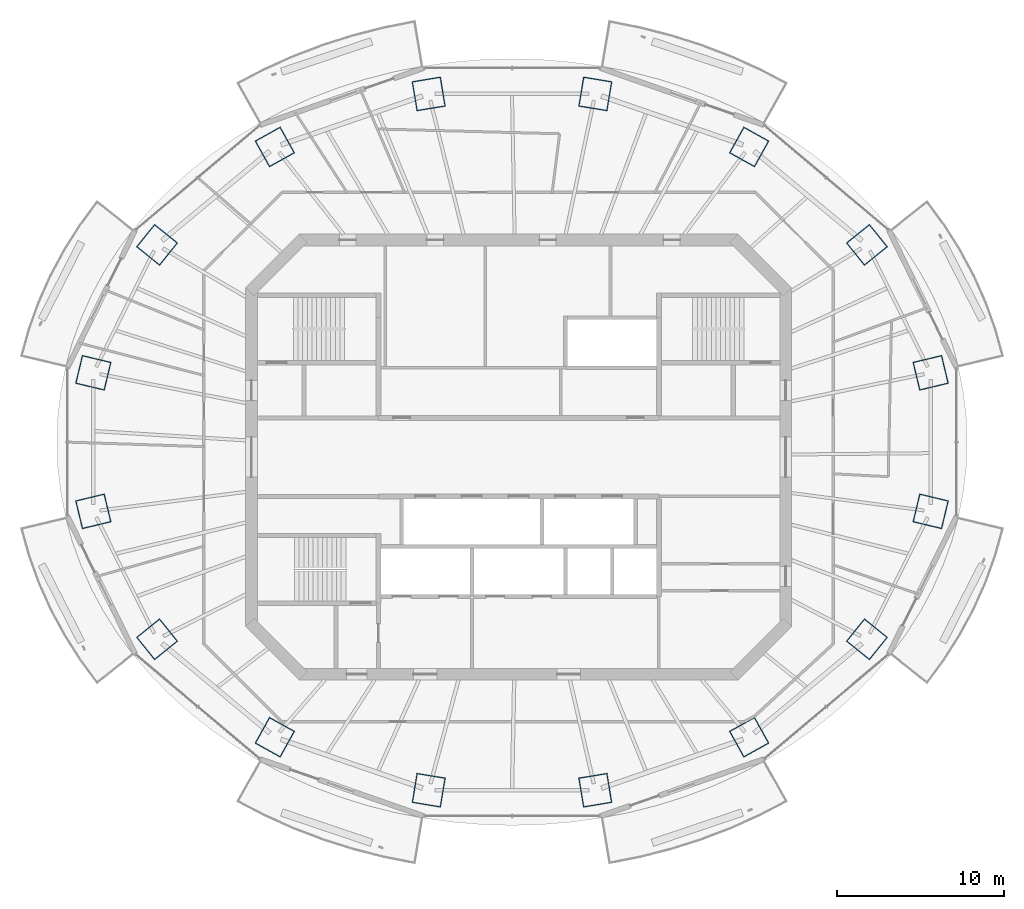
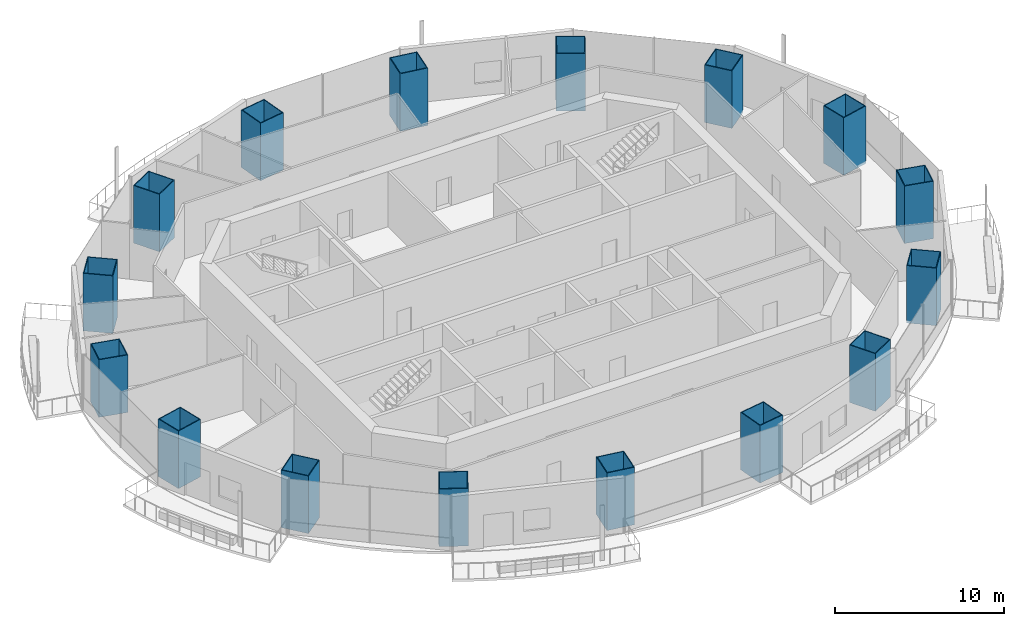
# One storey, part 1 of 16: 16 columns.
"""IFC4 building model written with IfcOpenShell, lengths in metres."""

from ifc_helpers import new_model, si_unit, direction, frame, origin, origin_2d, place, context, subcontext, project, spatial, rectangle, hollow_rectangle, extrude, material, material_profile, profile_set, type_object, element, save


model = new_model("IFC4")

# Units and contexts
model_context = context("Model", 3, precision=1e-05, world=origin(), true_north=direction((0.0, 1.0)))
body_context = subcontext(model_context, "Body", "Model", "MODEL_VIEW")
ifc_project = project(units=[si_unit("LENGTHUNIT", "METRE"), si_unit("AREAUNIT", "SQUARE_METRE"), si_unit("VOLUMEUNIT", "CUBIC_METRE"), si_unit("PLANEANGLEUNIT", "RADIAN"), si_unit("MASSUNIT", "GRAM", prefix="KILO")], contexts=[model_context])

# Site, building, storey
site_placement = place(None, origin())
site = spatial("IfcSite", under=ifc_project, at=site_placement, CompositionType="ELEMENT")
building_placement = place(site_placement, origin())
building = spatial("IfcBuilding", under=site, at=building_placement, Name="Marenthal Gate Tower", CompositionType="ELEMENT")
storey_placement = place(building_placement, frame((0.0, 0.0, 338.449951171875)))
storey = spatial("IfcBuildingStorey", under=building, at=storey_placement, Name="L76", CompositionType="ELEMENT", Elevation=338.449951171875)

# Columns
ifc_material_1 = material(Name="Steel S460", Category="steel")
ifc_material_profile_1 = material_profile(ifc_material_1, hollow_rectangle(XDim=1.75, YDim=1.800048828125, WallThickness=0.054931640625, at=origin_2d()), Name="CFT BOX 1800X1750X55")
ifc_material_2 = material(Name="Concrete 70 MPa", Category="concrete")
ifc_material_profile_2 = material_profile(ifc_material_2, rectangle(XDim=1.639892578125, YDim=1.68994140625, at=origin_2d()), Name="CFT BOX 1800X1750X55 INFILL")
ifc_profile_set = profile_set([ifc_material_profile_1, ifc_material_profile_2], Name="Steel S460 shell, Concrete 70 MPa infill")
column_type = type_object("IfcColumnType", Name="CFT BOX 1800X1750X55", PredefinedType="COLUMN", material=ifc_profile_set)
for number, where, z_axis, x_axis, name in (
    (1, (24.677734375, 5.048095703125, -0.179931640625), (0.0, 0.0, 1.0), (0.232642553419, -0.97256230769, 0.0), "COL-L76-01"),
    (2, (20.85986328125, 12.71240234375, -0.179931640625), (0.0, 0.0, 1.0), (0.626371189031, -0.779524940943, 0.0), "COL-L76-02"),
    (3, (13.805419921875, 18.57861328125, -0.179931640625), (0.0, 0.0, 1.0), (0.874131033778, -0.485690164391, 0.0), "COL-L76-03"),
    (4, (4.58837890625, 21.75341796875, -0.179931640625), (0.0, 0.0, 1.0), (0.986594956596, -0.16318820919, 0.0), "COL-L76-04"),
    (5, (-5.38818359375, 21.75341796875, -0.179931640625), (0.0, 0.0, 1.0), (0.986594956596, 0.16318820919, 0.0), "COL-L76-05"),
    (6, (-14.60546875, 18.57861328125, -0.179931640625), (0.0, 0.0, 1.0), (0.874131033778, 0.485690164391, 0.0), "COL-L76-06"),
    (7, (-21.659912109375, 12.71240234375, -0.179931640625), (0.0, 0.0, 1.0), (0.626371189031, 0.779524940943, 0.0), "COL-L76-07"),
    (8, (-25.477783203125, 5.048095703125, -0.179931640625), (0.0, 0.0, 1.0), (0.232642553419, 0.97256230769, 0.0), "COL-L76-08"),
    (9, (-25.477783203125, -3.248046875, -0.179931640625), (0.0, 0.0, 1.0), (-0.232642553419, 0.97256230769, 0.0), "COL-L76-09"),
    (10, (-21.659912109375, -10.91259765625, -0.179931640625), (0.0, 0.0, 1.0), (-0.626371189031, 0.779524940943, 0.0), "COL-L76-10"),
    (11, (-14.60546875, -16.77880859375, -0.179931640625), (0.0, 0.0, 1.0), (-0.874131033778, 0.485690164391, 0.0), "COL-L76-11"),
    (12, (-5.38818359375, -19.95361328125, -0.179931640625), (0.0, 0.0, 1.0), (-0.986594956596, 0.16318820919, 0.0), "COL-L76-12"),
    (13, (4.58837890625, -19.95361328125, -0.179931640625), (0.0, 0.0, 1.0), (-0.986594956596, -0.16318820919, 0.0), "COL-L76-13"),
    (14, (13.805419921875, -16.77880859375, -0.179931640625), (0.0, 0.0, 1.0), (-0.874131033778, -0.485690164391, 0.0), "COL-L76-14"),
    (15, (20.85986328125, -10.91259765625, -0.179931640625), (0.0, 0.0, 1.0), (-0.626371189031, -0.779524940943, 0.0), "COL-L76-15"),
    (16, (24.677734375, -3.248046875, -0.179931640625), (0.0, 0.0, 1.0), (-0.232642553419, -0.97256230769, 0.0), "COL-L76-16"),
):
    element("IfcColumn", number, at=place(storey_placement, frame(where, z_axis=z_axis, x_axis=x_axis)), inside=storey, type_object=column_type, Name=name, PredefinedType="COLUMN", context=body_context, shape_type="SweptSolid", body=[
        extrude(hollow_rectangle(XDim=1.75, YDim=1.800048828125, WallThickness=0.054931640625, at=origin_2d()), origin(), (0.0, 0.0, 1.0), 4.14990234375),
    ])

save(model, "model.ifc")
